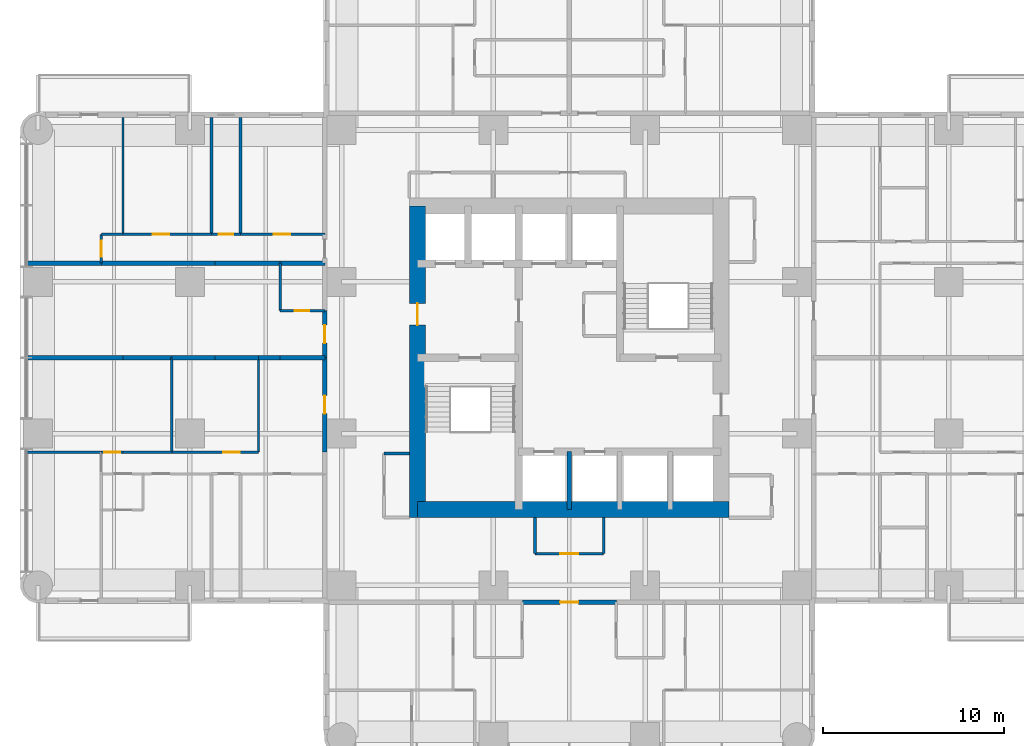
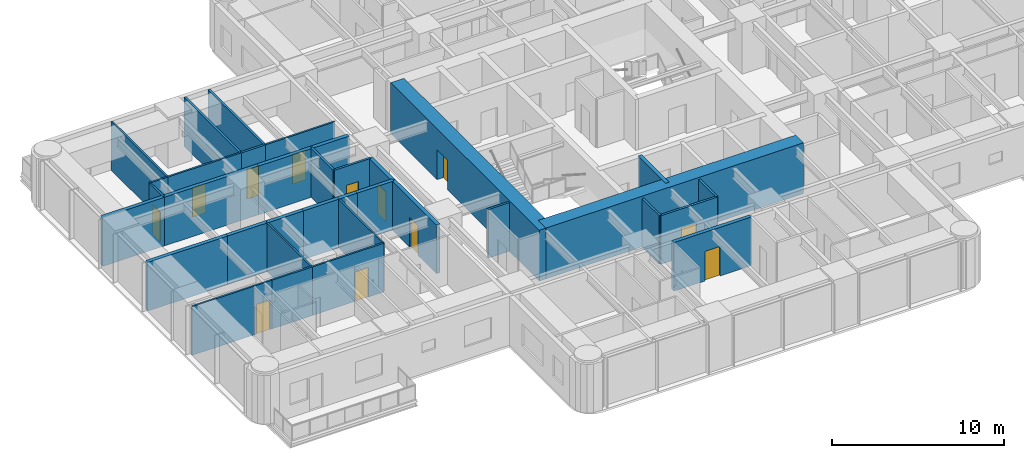
# One storey, part 7 of 15: 36 walls, 12 doors, 12 openings.
"""IFC4 building model written with IfcOpenShell, lengths in metres."""

import ifcopenshell
import ifcopenshell.guid

model = None  # the IFC model being written
_history = None  # IfcOwnerHistory: only IFC2X3 demands one
_inside = {}  # id of a spatial element -> (the spatial element, [elements in it])
_under = {}  # id of a project, library or spatial element -> (it, [spatial elements below it])
_declared = {}  # id of a project -> (the project, [libraries it declares])
_typed = {}  # id of a type object -> (the type object, [elements of that type])
_made_of = {}  # id of a material, layer set ... -> (it, [elements and type objects made of it])


def new_model(schema):
    """Start an empty IFC model of exactly this schema.

    Asked for "IFC4X3", IfcOpenShell would pick the latest addendum, in which some entities
    have other attributes; the version numbers below select the first issue.
    IFC2X3 requires an IfcOwnerHistory on every rooted entity: one is made here for all.
    """
    global model, _history
    if schema == "IFC4X3":
        model = ifcopenshell.file(schema_version=(4, 3, 0, 0))
    else:
        model = ifcopenshell.file(schema=schema)
    _inside.clear()
    _under.clear()
    _declared.clear()
    _typed.clear()
    _made_of.clear()
    _history = None
    if model.schema == "IFC2X3":
        org = make("IfcOrganization", Name="unknown")
        user = make(
            "IfcPersonAndOrganization",
            ThePerson=make("IfcPerson", FamilyName="unknown"),
            TheOrganization=org,
        )
        app = make(
            "IfcApplication",
            ApplicationDeveloper=org,
            Version="unknown",
            ApplicationFullName="unknown",
            ApplicationIdentifier="unknown",
        )
        _history = make(
            "IfcOwnerHistory",
            OwningUser=user,
            OwningApplication=app,
            ChangeAction="ADDED",
            CreationDate=0,
        )
    return model


def make(cls, **values):
    """One entity of the class cls with the attributes given. An attribute that is None is left unset."""
    return model.create_entity(
        cls, **{name: value for name, value in values.items() if value is not None}
    )


def rooted(cls, **values):
    """An entity with a GlobalId (a new one), such as an element, a storey or a relation."""
    return make(cls, GlobalId=ifcopenshell.guid.new(), OwnerHistory=_history, **values)


def si_unit(unit_type, name, prefix=None):
    """IfcSIUnit, for example si_unit("LENGTHUNIT", "METRE", prefix="MILLI")."""
    return make("IfcSIUnit", UnitType=unit_type, Prefix=prefix, Name=name)


def assignment(units):
    """IfcUnitAssignment: the units of a project."""
    return None if units is None else make("IfcUnitAssignment", Units=units)


def point(xyz):
    """IfcCartesianPoint."""
    return None if xyz is None else make("IfcCartesianPoint", Coordinates=xyz)


def direction(xyz):
    """IfcDirection."""
    return None if xyz is None else make("IfcDirection", DirectionRatios=xyz)


def frame(location, z_axis=None, x_axis=None):
    """IfcAxis2Placement3D, a coordinate frame: its origin and axes. An axis left out is left unset."""
    return make(
        "IfcAxis2Placement3D",
        Location=point(location),
        Axis=direction(z_axis),
        RefDirection=direction(x_axis),
    )


def frame_2d(location, x_axis=None):
    """IfcAxis2Placement2D, a coordinate frame in the plane: its origin and x axis."""
    return make(
        "IfcAxis2Placement2D", Location=point(location), RefDirection=direction(x_axis)
    )


def origin():
    """The frame at (0, 0, 0) with its axes left unset."""
    return frame((0.0, 0.0, 0.0))


def place(relative_to, where):
    """IfcLocalPlacement: puts the frame where relative to a parent placement (None: the world)."""
    return make(
        "IfcLocalPlacement", PlacementRelTo=relative_to, RelativePlacement=where
    )


def context(
    kind, dimensions, precision=None, world=None, true_north=None, identifier=None
):
    """IfcGeometricRepresentationContext, for example the 3D "Model" context."""
    return make(
        "IfcGeometricRepresentationContext",
        ContextIdentifier=identifier,
        ContextType=kind,
        CoordinateSpaceDimension=dimensions,
        Precision=precision,
        WorldCoordinateSystem=world,
        TrueNorth=true_north,
    )


def subcontext(parent, identifier, kind, view, scale=None):
    """IfcGeometricRepresentationSubContext, for example "Body" below "Model"."""
    return make(
        "IfcGeometricRepresentationSubContext",
        ContextIdentifier=identifier,
        ContextType=kind,
        ParentContext=parent,
        TargetScale=scale,
        TargetView=view,
    )


def project(units=None, contexts=None):
    """IfcProject with its units and contexts."""
    return rooted(
        "IfcProject",
        Name="project",
        RepresentationContexts=contexts,
        UnitsInContext=assignment(units),
    )


def spatial(cls, under=None, at=None, **own):
    """A site, building, storey or space (cls), placed at a placement, below another one or the project."""
    s = rooted(cls, ObjectPlacement=at, **own)
    if under is not None:
        _under.setdefault(under.id(), (under, []))[1].append(s)
    return s


def profile(cls, at=None, kind="AREA", **sizes):
    """A parametric profile (cls). Its sizes go by their IFC names, for example OverallWidth=200.0."""
    return make(cls, ProfileType=kind, Position=at, **sizes)


def rectangle(**sizes):
    """IfcRectangleProfileDef."""
    return profile("IfcRectangleProfileDef", **sizes)


def extrude(swept, where, along, depth):
    """IfcExtrudedAreaSolid: the profile swept, set in the frame where, extruded along a direction by depth."""
    return make(
        "IfcExtrudedAreaSolid",
        SweptArea=swept,
        Position=where,
        ExtrudedDirection=direction(along),
        Depth=depth,
    )


def shape(context_of_items, identifier, shape_type, items):
    """IfcShapeRepresentation: the items that make up one representation, for example the "Body"."""
    return make(
        "IfcShapeRepresentation",
        ContextOfItems=context_of_items,
        RepresentationIdentifier=identifier,
        RepresentationType=shape_type,
        Items=items,
    )


def material(Name=None, Category=None):
    """IfcMaterial."""
    return make("IfcMaterial", Name=Name, Category=Category)


def layer(
    of_material, thickness, ventilated=None, Name=None, Category=None, Priority=None
):
    """IfcMaterialLayer: one layer of a wall or slab, of a material (None: an air gap)."""
    return make(
        "IfcMaterialLayer",
        Material=of_material,
        LayerThickness=thickness,
        IsVentilated=ventilated,
        Name=Name,
        Category=Category,
        Priority=Priority,
    )


def layer_set(layers, Name=None):
    """IfcMaterialLayerSet."""
    return make("IfcMaterialLayerSet", MaterialLayers=layers, LayerSetName=Name)


def made_of(thing, what):
    """Note that an element or type object is made of a material, layer set ...; save() writes the relation."""
    if what is not None:
        _made_of.setdefault(what.id(), (what, []))[1].append(thing)
    return thing


def type_object(cls, material=None, **own):
    """A type object (cls), such as IfcWallType, which elements share."""
    return made_of(rooted(cls, **own), material)


def element(
    cls,
    number,
    at=None,
    inside=None,
    cuts=None,
    type_object=None,
    material=None,
    context=None,
    identifier="Body",
    shape_type=None,
    held_by="IfcProductDefinitionShape",
    body=None,
    shapes=None,
    **own,
):
    """One element of the class cls, such as IfcWall. Its Tag is "e" and its number.

    at: its placement. inside: the storey or other place that contains it. cuts: it is an
    opening in that element (IfcRelVoidsElement). A single representation is given by context,
    identifier, shape_type and body (its items); several are given by shapes. held_by: the class
    of the entity that holds the representations. save() writes the other relations.
    """
    e = rooted(cls, Tag="e%d" % number, ObjectPlacement=at, **own)
    if body is not None:
        shapes = [shape(context, identifier, shape_type, body)]
    if shapes is not None:
        e.Representation = make(held_by, Representations=shapes)
    if inside is not None:
        _inside.setdefault(inside.id(), (inside, []))[1].append(e)
    if cuts is not None:
        rooted(
            "IfcRelVoidsElement", RelatingBuildingElement=cuts, RelatedOpeningElement=e
        )
    if type_object is not None:
        _typed.setdefault(type_object.id(), (type_object, []))[1].append(e)
    return made_of(e, material)


def fill(opening, filler):
    """IfcRelFillsElement: the door or window that sits in an opening."""
    return rooted(
        "IfcRelFillsElement",
        RelatingOpeningElement=opening,
        RelatedBuildingElement=filler,
    )


def aggregate(whole, parts):
    """IfcRelAggregates: a whole, such as a stair, and the parts it consists of."""
    return rooted("IfcRelAggregates", RelatingObject=whole, RelatedObjects=parts)


def save(model, path):
    """Write the relations noted so far, then the file.

    IfcRelAggregates (storeys below a building ...), IfcRelContainedInSpatialStructure (elements
    in a storey), IfcRelDefinesByType, IfcRelAssociatesMaterial and IfcRelDeclares: one each for
    every whole, place, type object, material and project.
    """
    for whole, parts in _under.values():
        aggregate(whole, parts)
    for where, things in _inside.values():
        rooted(
            "IfcRelContainedInSpatialStructure",
            RelatedElements=things,
            RelatingStructure=where,
        )
    for kind, things in _typed.values():
        rooted("IfcRelDefinesByType", RelatedObjects=things, RelatingType=kind)
    for what, things in _made_of.values():
        rooted("IfcRelAssociatesMaterial", RelatedObjects=things, RelatingMaterial=what)
    for by, libraries in _declared.values():
        rooted("IfcRelDeclares", RelatingContext=by, RelatedDefinitions=libraries)
    model.write(path)


model = new_model("IFC4")

# Units and contexts
model_context = context("Model", 3, precision=1e-05, world=origin(), true_north=direction((0.0, 1.0)))
body_context = subcontext(model_context, "Body", "Model", "MODEL_VIEW")
ifc_project = project(units=[si_unit("LENGTHUNIT", "METRE"), si_unit("AREAUNIT", "SQUARE_METRE"), si_unit("VOLUMEUNIT", "CUBIC_METRE"), si_unit("PLANEANGLEUNIT", "RADIAN"), si_unit("MASSUNIT", "GRAM", prefix="KILO")], contexts=[model_context])

# Site, building, storey
site_placement = place(None, origin())
site = spatial("IfcSite", under=ifc_project, at=site_placement, CompositionType="ELEMENT")
building_placement = place(site_placement, origin())
building = spatial("IfcBuilding", under=site, at=building_placement, Name="Torre Alcanfor", CompositionType="ELEMENT")
storey_placement = place(building_placement, frame((0.0, 0.0, 119.699951171875)))
storey = spatial("IfcBuildingStorey", under=building, at=storey_placement, Name="L30", CompositionType="ELEMENT", Elevation=119.699951171875)

# Wall, opening, door
ifc_material_1 = material(Name="Concrete block masonry, hollow blocks NMX-C-404 9 MPa", Category="masonry")
ifc_layer_1 = layer(ifc_material_1, 0.25)
ifc_layer_set_1 = layer_set([ifc_layer_1], Name="Apartment entrance wall 250 EI 60")
wall_type_1 = type_object("IfcWallType", Name="Apartment entrance wall 250 EI 60", PredefinedType="PARTITIONING", material=ifc_layer_set_1)
wall_1_placement = place(storey_placement, frame((32.0, 15.875, 0.0), z_axis=(0.0, 0.0, 1.0), x_axis=(-1.0, 0.0, 0.0)))
wall_1 = element("IfcWall", 1, at=wall_1_placement, inside=storey, type_object=wall_type_1, Name="Partition L30-CORR / L30-SX-ZAG", PredefinedType="PARTITIONING", context=body_context, shape_type="SweptSolid", body=[
    extrude(rectangle(XDim=5.199951171875, YDim=0.25, at=frame_2d((2.60009765625, 0.0))), origin(), (0.0, 0.0, 1.0), 3.449951171875),
])
opening_1_placement = place(wall_1_placement, frame((2.10009765625, 0.0, 0.0)))
opening_1 = element("IfcOpeningElement", 2, at=opening_1_placement, cuts=wall_1, Name="Opening D-A1", PredefinedType="OPENING", context=body_context, shape_type="SweptSolid", body=[
    extrude(rectangle(XDim=1.0, YDim=2.10009765625, at=frame_2d((0.5, 1.050048828125))), frame((0.0, 0.135009765625, 0.0), z_axis=(0.0, -1.0, 0.0), x_axis=(1.0, 0.0, 0.0)), (0.0, 0.0, 1.0), 0.27001953125),
])
ifc_material_2 = material(Name="Galvanised steel sheet ASTM A653", Category="steel")
door_type_1 = type_object("IfcDoorType", Name="Apartment entrance door FD60 1000x2100", OperationType="SINGLE_SWING_LEFT", PredefinedType="DOOR", material=ifc_material_2)
door_1_placement = place(opening_1_placement, origin())
door_1 = element("IfcDoor", 3, at=door_1_placement, inside=storey, type_object=door_type_1, Name="Apartment entrance L30-SX", OperationType="SINGLE_SWING_LEFT", OverallHeight=2.10009765625, OverallWidth=1.0, PredefinedType="DOOR", context=body_context, shape_type="SweptSolid", body=[
    extrude(rectangle(XDim=1.0, YDim=2.10009765625, at=frame_2d((0.5, 1.050048828125))), frame((0.0, 0.02490234375, 0.0), z_axis=(0.0, -1.0, 0.0), x_axis=(1.0, 0.0, 0.0)), (0.0, 0.0, 1.0), 0.050048828125),
])
fill(opening_1, door_1)

wall_2_placement = place(storey_placement, frame((15.875, 24.1708984375, 0.0), z_axis=(0.0, 0.0, 1.0), x_axis=(0.0, 1.0, 0.0)))
wall_2 = element("IfcWall", 4, at=wall_2_placement, inside=storey, type_object=wall_type_1, Name="Partition L30-CORR / L30-W1-ZAG", PredefinedType="PARTITIONING", context=body_context, shape_type="SweptSolid", body=[
    extrude(rectangle(XDim=5.22900390625, YDim=0.25, at=frame_2d((2.614501953125, 0.0))), origin(), (0.0, 0.0, 1.0), 3.449951171875),
])
opening_2_placement = place(wall_2_placement, frame((2.12890625, 0.0, 0.0)))
opening_2 = element("IfcOpeningElement", 5, at=opening_2_placement, cuts=wall_2, Name="Opening D-A1", PredefinedType="OPENING", context=body_context, shape_type="SweptSolid", body=[
    extrude(rectangle(XDim=1.0, YDim=2.10009765625, at=frame_2d((0.5, 1.050048828125))), frame((0.0, 0.135009765625, 0.0), z_axis=(0.0, -1.0, 0.0), x_axis=(1.0, 0.0, 0.0)), (0.0, 0.0, 1.0), 0.27001953125),
])
door_2_placement = place(opening_2_placement, origin())
door_2 = element("IfcDoor", 6, at=door_2_placement, inside=storey, type_object=door_type_1, Name="Apartment entrance L30-W1", OperationType="SINGLE_SWING_RIGHT", OverallHeight=2.10009765625, OverallWidth=1.0, PredefinedType="DOOR", context=body_context, shape_type="SweptSolid", body=[
    extrude(rectangle(XDim=1.0, YDim=2.10009765625, at=frame_2d((0.5, 1.050048828125))), frame((0.0, 0.02490234375, 0.0), z_axis=(0.0, -1.0, 0.0), x_axis=(1.0, 0.0, 0.0)), (0.0, 0.0, 1.0), 0.050048828125),
])
fill(opening_2, door_2)

wall_3_placement = place(storey_placement, frame((15.875, 29.39990234375, 0.0), z_axis=(0.0, 0.0, 1.0), x_axis=(0.0, 1.0, 0.0)))
wall_3 = element("IfcWall", 7, at=wall_3_placement, inside=storey, type_object=wall_type_1, Name="Partition L30-CORR / L30-W2A-FOYER", PredefinedType="PARTITIONING", context=body_context, shape_type="SweptSolid", body=[
    extrude(rectangle(XDim=2.60009765625, YDim=0.25, at=frame_2d((1.300048828125, 0.0))), origin(), (0.0, 0.0, 1.0), 3.449951171875),
])
opening_3_placement = place(wall_3_placement, frame((0.800048828125, 0.0, 0.0)))
opening_3 = element("IfcOpeningElement", 8, at=opening_3_placement, cuts=wall_3, Name="Opening D-A1", PredefinedType="OPENING", context=body_context, shape_type="SweptSolid", body=[
    extrude(rectangle(XDim=1.0, YDim=2.10009765625, at=frame_2d((0.5, 1.050048828125))), frame((0.0, 0.135009765625, 0.0), z_axis=(0.0, -1.0, 0.0), x_axis=(1.0, 0.0, 0.0)), (0.0, 0.0, 1.0), 0.27001953125),
])
door_3_placement = place(opening_3_placement, origin())
door_3 = element("IfcDoor", 9, at=door_3_placement, inside=storey, type_object=door_type_1, Name="Apartment entrance L30-W2A", OperationType="SINGLE_SWING_LEFT", OverallHeight=2.10009765625, OverallWidth=1.0, PredefinedType="DOOR", context=body_context, shape_type="SweptSolid", body=[
    extrude(rectangle(XDim=1.0, YDim=2.10009765625, at=frame_2d((0.5, 1.050048828125))), frame((0.0, 0.02490234375, 0.0), z_axis=(0.0, -1.0, 0.0), x_axis=(1.0, 0.0, 0.0)), (0.0, 0.0, 1.0), 0.050048828125),
])
fill(opening_3, door_3)

# Walls
ifc_material_3 = material(Name="Gypsum board on steel studs", Category="steel")
ifc_layer_2 = layer(ifc_material_3, 0.1201171875)
ifc_layer_set_2 = layer_set([ifc_layer_2], Name="Apartment partition 120")
wall_type_2 = type_object("IfcWallType", Name="Apartment partition 120", PredefinedType="PARTITIONING", material=ifc_layer_set_2)
for number, where, z_axis, x_axis, name in (
    (10, (12.199951171875, 29.39990234375, 0.0), (0.0, 0.0, 1.0), (0.0, -1.0, 0.0), "Partition L30-W1-ZAG / L30-W1-FAMILY"),
    (11, (7.39990234375, 29.39990234375, 0.0), (0.0, 0.0, 1.0), (0.0, -1.0, 0.0), "Partition L30-W1-FAMILY / L30-W1-KITCHEN"),
):
    element("IfcWall", number, at=place(storey_placement, frame(where, z_axis=z_axis, x_axis=x_axis)), inside=storey, type_object=wall_type_2, Name=name, PredefinedType="PARTITIONING", context=body_context, shape_type="SweptSolid", body=[
        extrude(rectangle(XDim=5.22900390625, YDim=0.1201171875, at=frame_2d((2.614501953125, 0.0))), origin(), (0.0, 0.0, 1.0), 3.449951171875),
    ])

# Wall, opening, door
wall_4_placement = place(storey_placement, frame((7.39990234375, 24.1708984375, 0.0), z_axis=(0.0, 0.0, 1.0), x_axis=(1.0, 0.0, 0.0)))
wall_4 = element("IfcWall", 12, at=wall_4_placement, inside=storey, type_object=wall_type_2, Name="Partition L30-W1-FAMILY / L30-W1-HALL", PredefinedType="PARTITIONING", context=body_context, shape_type="SweptSolid", body=[
    extrude(rectangle(XDim=4.800048828125, YDim=0.1201171875, at=frame_2d((2.39990234375, 0.0))), origin(), (0.0, 0.0, 1.0), 3.449951171875),
])
opening_4_placement = place(wall_4_placement, frame((2.85009765625, 0.0, 0.0)))
opening_4 = element("IfcOpeningElement", 13, at=opening_4_placement, cuts=wall_4, Name="Opening D-R1", PredefinedType="OPENING", context=body_context, shape_type="SweptSolid", body=[
    extrude(rectangle(XDim=0.89990234375, YDim=2.10009765625, at=frame_2d((0.449951171875, 1.050048828125))), frame((0.0, 0.070068359375, 0.0), z_axis=(0.0, -1.0, 0.0), x_axis=(1.0, 0.0, 0.0)), (0.0, 0.0, 1.0), 0.14013671875),
])
ifc_material_4 = material(Name="Timber", Category="wood")
door_type_2 = type_object("IfcDoorType", Name="Internal door 900x2100", OperationType="SINGLE_SWING_LEFT", PredefinedType="DOOR", material=ifc_material_4)
door_4_placement = place(opening_4_placement, origin())
door_4 = element("IfcDoor", 14, at=door_4_placement, inside=storey, type_object=door_type_2, Name="Door L30-W1 family", OperationType="SINGLE_SWING_RIGHT", OverallHeight=2.10009765625, OverallWidth=0.89990234375, PredefinedType="DOOR", context=body_context, shape_type="SweptSolid", body=[
    extrude(rectangle(XDim=0.89990234375, YDim=2.10009765625, at=frame_2d((0.449951171875, 1.050048828125))), frame((0.0, 0.02490234375, 0.0), z_axis=(0.0, -1.0, 0.0), x_axis=(1.0, 0.0, 0.0)), (0.0, 0.0, 1.0), 0.050048828125),
])
fill(opening_4, door_4)

# Wall
wall_5_placement = place(storey_placement, frame((4.699951171875, 24.1708984375, 0.0), z_axis=(0.0, 0.0, 1.0), x_axis=(1.0, 0.0, 0.0)))
element("IfcWall", 15, at=wall_5_placement, inside=storey, type_object=wall_type_2, Name="Partition L30-W1-KITCHEN / L30-W1-HALL", PredefinedType="PARTITIONING", context=body_context, shape_type="SweptSolid", body=[
    extrude(rectangle(XDim=2.699951171875, YDim=0.1201171875, at=frame_2d((1.35009765625, 0.0))), origin(), (0.0, 0.0, 1.0), 3.449951171875),
])

# Wall, opening, door
wall_6_placement = place(storey_placement, frame((3.5, 24.1708984375, 0.0), z_axis=(0.0, 0.0, 1.0), x_axis=(1.0, 0.0, 0.0)))
wall_6 = element("IfcWall", 16, at=wall_6_placement, inside=storey, type_object=wall_type_2, Name="Partition L30-W1-LIVING / L30-W1-HALL", PredefinedType="PARTITIONING", context=body_context, shape_type="SweptSolid", body=[
    extrude(rectangle(XDim=1.199951171875, YDim=0.1201171875, at=frame_2d((0.60009765625, 0.0))), origin(), (0.0, 0.0, 1.0), 3.449951171875),
])
opening_5_placement = place(wall_6_placement, frame((0.14990234375, 0.0, 0.0)))
opening_5 = element("IfcOpeningElement", 17, at=opening_5_placement, cuts=wall_6, Name="Opening D-R1", PredefinedType="OPENING", context=body_context, shape_type="SweptSolid", body=[
    extrude(rectangle(XDim=0.89990234375, YDim=2.10009765625, at=frame_2d((0.449951171875, 1.050048828125))), frame((0.0, 0.070068359375, 0.0), z_axis=(0.0, -1.0, 0.0), x_axis=(1.0, 0.0, 0.0)), (0.0, 0.0, 1.0), 0.14013671875),
])
door_5_placement = place(opening_5_placement, origin())
door_5 = element("IfcDoor", 18, at=door_5_placement, inside=storey, type_object=door_type_2, Name="Door L30-W1 living", OperationType="SINGLE_SWING_RIGHT", OverallHeight=2.10009765625, OverallWidth=0.89990234375, PredefinedType="DOOR", context=body_context, shape_type="SweptSolid", body=[
    extrude(rectangle(XDim=0.89990234375, YDim=2.10009765625, at=frame_2d((0.449951171875, 1.050048828125))), frame((0.0, 0.02490234375, 0.0), z_axis=(0.0, -1.0, 0.0), x_axis=(1.0, 0.0, 0.0)), (0.0, 0.0, 1.0), 0.050048828125),
])
fill(opening_5, door_5)

# Wall
wall_7_placement = place(storey_placement, frame((-0.64990234375, 24.1708984375, 0.0), z_axis=(0.0, 0.0, 1.0), x_axis=(1.0, 0.0, 0.0)))
element("IfcWall", 19, at=wall_7_placement, inside=storey, type_object=wall_type_2, Name="Partition L30-W1-LIVING / L30-W1-WGARD", PredefinedType="PARTITIONING", context=body_context, shape_type="SweptSolid", body=[
    extrude(rectangle(XDim=4.14990234375, YDim=0.1201171875, at=frame_2d((2.074951171875, 0.0))), origin(), (0.0, 0.0, 1.0), 3.449951171875),
])

# Wall, opening, door
wall_8_placement = place(storey_placement, frame((11.199951171875, 36.22900390625, 0.0), z_axis=(0.0, 0.0, 1.0), x_axis=(1.0, 0.0, 0.0)))
wall_8 = element("IfcWall", 20, at=wall_8_placement, inside=storey, type_object=wall_type_2, Name="Partition L30-W2B-HALL / L30-W2B-BED2", PredefinedType="PARTITIONING", context=body_context, shape_type="SweptSolid", body=[
    extrude(rectangle(XDim=4.675048828125, YDim=0.1201171875, at=frame_2d((2.33740234375, 0.0))), origin(), (0.0, 0.0, 1.0), 3.449951171875),
])
opening_6_placement = place(wall_8_placement, frame((1.85009765625, 0.0, 0.0)))
opening_6 = element("IfcOpeningElement", 21, at=opening_6_placement, cuts=wall_8, Name="Opening D-R1", PredefinedType="OPENING", context=body_context, shape_type="SweptSolid", body=[
    extrude(rectangle(XDim=0.89990234375, YDim=2.10009765625, at=frame_2d((0.449951171875, 1.050048828125))), frame((0.0, 0.070068359375, 0.0), z_axis=(0.0, -1.0, 0.0), x_axis=(1.0, 0.0, 0.0)), (0.0, 0.0, 1.0), 0.14013671875),
])
door_6_placement = place(opening_6_placement, origin())
door_6 = element("IfcDoor", 22, at=door_6_placement, inside=storey, type_object=door_type_2, Name="Door L30-W2B bed2", OperationType="SINGLE_SWING_LEFT", OverallHeight=2.10009765625, OverallWidth=0.89990234375, PredefinedType="DOOR", context=body_context, shape_type="SweptSolid", body=[
    extrude(rectangle(XDim=0.89990234375, YDim=2.10009765625, at=frame_2d((0.449951171875, 1.050048828125))), frame((0.0, 0.02490234375, 0.0), z_axis=(0.0, -1.0, 0.0), x_axis=(1.0, 0.0, 0.0)), (0.0, 0.0, 1.0), 0.050048828125),
])
fill(opening_6, door_6)

wall_9_placement = place(storey_placement, frame((4.699951171875, 36.22900390625, 0.0), z_axis=(0.0, 0.0, 1.0), x_axis=(1.0, 0.0, 0.0)))
wall_9 = element("IfcWall", 23, at=wall_9_placement, inside=storey, type_object=wall_type_2, Name="Partition L30-W2B-HALL / L30-W2B-MASTER", PredefinedType="PARTITIONING", context=body_context, shape_type="SweptSolid", body=[
    extrude(rectangle(XDim=4.900146484375, YDim=0.1201171875, at=frame_2d((2.4501953125, 0.0))), origin(), (0.0, 0.0, 1.0), 3.449951171875),
])
opening_7_placement = place(wall_9_placement, frame((1.64990234375, 0.0, 0.0)))
opening_7 = element("IfcOpeningElement", 24, at=opening_7_placement, cuts=wall_9, Name="Opening D-R1", PredefinedType="OPENING", context=body_context, shape_type="SweptSolid", body=[
    extrude(rectangle(XDim=0.89990234375, YDim=2.10009765625, at=frame_2d((0.449951171875, 1.050048828125))), frame((0.0, 0.070068359375, 0.0), z_axis=(0.0, -1.0, 0.0), x_axis=(1.0, 0.0, 0.0)), (0.0, 0.0, 1.0), 0.14013671875),
])
door_7_placement = place(opening_7_placement, origin())
door_7 = element("IfcDoor", 25, at=door_7_placement, inside=storey, type_object=door_type_2, Name="Door L30-W2B master", OperationType="SINGLE_SWING_LEFT", OverallHeight=2.10009765625, OverallWidth=0.89990234375, PredefinedType="DOOR", context=body_context, shape_type="SweptSolid", body=[
    extrude(rectangle(XDim=0.89990234375, YDim=2.10009765625, at=frame_2d((0.449951171875, 1.050048828125))), frame((0.0, 0.02490234375, 0.0), z_axis=(0.0, -1.0, 0.0), x_axis=(1.0, 0.0, 0.0)), (0.0, 0.0, 1.0), 0.050048828125),
])
fill(opening_7, door_7)

# Wall
wall_10_placement = place(storey_placement, frame((3.5, 36.22900390625, 0.0), z_axis=(0.0, 0.0, 1.0), x_axis=(1.0, 0.0, 0.0)))
element("IfcWall", 26, at=wall_10_placement, inside=storey, type_object=wall_type_2, Name="Partition L30-W2B-HALL / L30-W2B-KITCHEN", PredefinedType="PARTITIONING", context=body_context, shape_type="SweptSolid", body=[
    extrude(rectangle(XDim=1.199951171875, YDim=0.1201171875, at=frame_2d((0.60009765625, 0.0))), origin(), (0.0, 0.0, 1.0), 3.449951171875),
])

# Wall, opening, door
wall_11_placement = place(storey_placement, frame((3.5, 34.62890625, 0.0), z_axis=(0.0, 0.0, 1.0), x_axis=(0.0, 1.0, 0.0)))
wall_11 = element("IfcWall", 27, at=wall_11_placement, inside=storey, type_object=wall_type_2, Name="Partition L30-W2B-HALL / L30-W2B-LIVING", PredefinedType="PARTITIONING", context=body_context, shape_type="SweptSolid", body=[
    extrude(rectangle(XDim=1.60009765625, YDim=0.1201171875, at=frame_2d((0.800048828125, 0.0))), origin(), (0.0, 0.0, 1.0), 3.449951171875),
])
opening_8_placement = place(wall_11_placement, frame((0.35009765625, 0.0, 0.0)))
opening_8 = element("IfcOpeningElement", 28, at=opening_8_placement, cuts=wall_11, Name="Opening D-R1", PredefinedType="OPENING", context=body_context, shape_type="SweptSolid", body=[
    extrude(rectangle(XDim=0.89990234375, YDim=2.10009765625, at=frame_2d((0.449951171875, 1.050048828125))), frame((0.0, 0.070068359375, 0.0), z_axis=(0.0, -1.0, 0.0), x_axis=(1.0, 0.0, 0.0)), (0.0, 0.0, 1.0), 0.14013671875),
])
door_8_placement = place(opening_8_placement, origin())
door_8 = element("IfcDoor", 29, at=door_8_placement, inside=storey, type_object=door_type_2, Name="Door L30-W2B living", OperationType="SINGLE_SWING_LEFT", OverallHeight=2.10009765625, OverallWidth=0.89990234375, PredefinedType="DOOR", context=body_context, shape_type="SweptSolid", body=[
    extrude(rectangle(XDim=0.89990234375, YDim=2.10009765625, at=frame_2d((0.449951171875, 1.050048828125))), frame((0.0, 0.02490234375, 0.0), z_axis=(0.0, -1.0, 0.0), x_axis=(1.0, 0.0, 0.0)), (0.0, 0.0, 1.0), 0.050048828125),
])
fill(opening_8, door_8)

# Walls
wall_12_placement = place(storey_placement, frame((4.699951171875, 36.22900390625, 0.0), z_axis=(0.0, 0.0, 1.0), x_axis=(0.0, 1.0, 0.0)))
element("IfcWall", 30, at=wall_12_placement, inside=storey, type_object=wall_type_2, Name="Partition L30-W2B-MASTER / L30-W2B-KITCHEN", PredefinedType="PARTITIONING", context=body_context, shape_type="SweptSolid", body=[
    extrude(rectangle(XDim=6.470947265625, YDim=0.1201171875, at=frame_2d((3.2353515625, 0.0))), origin(), (0.0, 0.0, 1.0), 3.449951171875),
])
ifc_material_5 = material(Name="Concrete f'c 70 MPa", Category="concrete")
ifc_layer_3 = layer(ifc_material_5, 0.25)
ifc_layer_set_3 = layer_set([ifc_layer_3], Name="Core shaft wall 250 f'c70")
wall_type_3 = type_object("IfcWallType", Name="Core shaft wall 250 f'c70", PredefinedType="SHEAR", material=ifc_layer_set_3)
wall_13_placement = place(storey_placement, frame((29.39990234375, 21.0, 0.0), z_axis=(0.0, 0.0, 1.0), x_axis=(0.0, 1.0, 0.0)))
element("IfcWall", 31, at=wall_13_placement, inside=storey, type_object=wall_type_3, Name="Core wall X294S L30", PredefinedType="SHEAR", context=body_context, shape_type="SweptSolid", body=[
    extrude(rectangle(XDim=3.199951171875, YDim=0.25, at=frame_2d((1.60009765625, 0.0))), origin(), (0.0, 0.0, 1.0), 3.60009765625),
])
ifc_material_6 = material(Name="Concrete f'c 70 MPa", Category="concrete")
ifc_layer_4 = layer(ifc_material_6, 0.89990234375)
ifc_layer_set_4 = layer_set([ifc_layer_4], Name="Core wall 900 f'c70")
wall_type_4 = type_object("IfcWallType", Name="Core wall 900 f'c70", PredefinedType="SHEAR", material=ifc_layer_set_4)
wall_14_placement = place(storey_placement, frame((21.0, 21.0, 0.0), z_axis=(0.0, 0.0, 1.0), x_axis=(1.0, 0.0, 0.0)))
element("IfcWall", 32, at=wall_14_placement, inside=storey, type_object=wall_type_4, Name="Core wall OUT-S L30", PredefinedType="SHEAR", context=body_context, shape_type="SweptSolid", body=[
    extrude(rectangle(XDim=17.25, YDim=0.89990234375, at=frame_2d((8.625, 0.0))), origin(), (0.0, 0.0, 1.0), 3.60009765625),
])

# Wall, opening, door
wall_15_placement = place(storey_placement, frame((21.0, 37.800048828125, 0.0), z_axis=(0.0, 0.0, 1.0), x_axis=(0.0, -1.0, 0.0)))
wall_15 = element("IfcWall", 33, at=wall_15_placement, inside=storey, type_object=wall_type_4, Name="Core wall OUT-W L30", PredefinedType="SHEAR", context=body_context, shape_type="SweptSolid", body=[
    extrude(rectangle(XDim=17.25, YDim=0.89990234375, at=frame_2d((8.625, 0.0))), origin(), (0.0, 0.0, 1.0), 3.60009765625),
])
opening_9_placement = place(wall_15_placement, frame((5.39990234375, 0.0, 0.0)))
opening_9 = element("IfcOpeningElement", 34, at=opening_9_placement, cuts=wall_15, Name="Opening D-L1", PredefinedType="OPENING", context=body_context, shape_type="SweptSolid", body=[
    extrude(rectangle(XDim=1.199951171875, YDim=2.10009765625, at=frame_2d((0.60009765625, 1.050048828125))), frame((0.0, 0.4599609375, 0.0), z_axis=(0.0, -1.0, 0.0), x_axis=(1.0, 0.0, 0.0)), (0.0, 0.0, 1.0), 0.919921875),
])
ifc_material_7 = material(Name="Galvanised steel sheet ASTM A653", Category="steel")
door_type_3 = type_object("IfcDoorType", Name="Lobby door FD120 1200x2100", OperationType="SINGLE_SWING_LEFT", PredefinedType="DOOR", material=ifc_material_7)
door_9_placement = place(opening_9_placement, origin())
door_9 = element("IfcDoor", 35, at=door_9_placement, inside=storey, type_object=door_type_3, Name="Firefighting lobby door L30", OperationType="SINGLE_SWING_LEFT", OverallHeight=2.10009765625, OverallWidth=1.199951171875, PredefinedType="DOOR", context=body_context, shape_type="SweptSolid", body=[
    extrude(rectangle(XDim=1.199951171875, YDim=2.10009765625, at=frame_2d((0.60009765625, 1.050048828125))), frame((0.0, 0.02490234375, 0.0), z_axis=(0.0, -1.0, 0.0), x_axis=(1.0, 0.0, 0.0)), (0.0, 0.0, 1.0), 0.050048828125),
])
fill(opening_9, door_9)

# Walls
ifc_material_8 = material(Name="Concrete block masonry, hollow blocks NMX-C-404 9 MPa", Category="masonry")
ifc_layer_5 = layer(ifc_material_8, 0.25)
ifc_layer_set_5 = layer_set([ifc_layer_5], Name="Party wall 250 EI 60")
wall_type_5 = type_object("IfcWallType", Name="Party wall 250 EI 60", PredefinedType="PARTITIONING", material=ifc_layer_set_5)
wall_16_placement = place(storey_placement, frame((15.875, 29.39990234375, 0.0), z_axis=(0.0, 0.0, 1.0), x_axis=(-1.0, 0.0, 0.0)))
element("IfcWall", 36, at=wall_16_placement, inside=storey, type_object=wall_type_5, Name="Partition L30-W1-ZAG / L30-W2A-FOYER", PredefinedType="PARTITIONING", context=body_context, shape_type="SweptSolid", body=[
    extrude(rectangle(XDim=2.47509765625, YDim=0.25, at=frame_2d((1.237548828125, 0.0))), origin(), (0.0, 0.0, 1.0), 3.449951171875),
])
wall_17_placement = place(storey_placement, frame((13.39990234375, 29.39990234375, 0.0), z_axis=(0.0, 0.0, 1.0), x_axis=(-1.0, 0.0, 0.0)))
element("IfcWall", 37, at=wall_17_placement, inside=storey, type_object=wall_type_5, Name="Partition L30-W1-ZAG / L30-W2A-KITCHEN", PredefinedType="PARTITIONING", context=body_context, shape_type="SweptSolid", body=[
    extrude(rectangle(XDim=1.199951171875, YDim=0.25, at=frame_2d((0.60009765625, 0.0))), origin(), (0.0, 0.0, 1.0), 3.449951171875),
])
wall_18_placement = place(storey_placement, frame((12.199951171875, 29.39990234375, 0.0), z_axis=(0.0, 0.0, 1.0), x_axis=(-1.0, 0.0, 0.0)))
element("IfcWall", 38, at=wall_18_placement, inside=storey, type_object=wall_type_5, Name="Partition L30-W1-FAMILY / L30-W2A-KITCHEN", PredefinedType="PARTITIONING", context=body_context, shape_type="SweptSolid", body=[
    extrude(rectangle(XDim=2.39990234375, YDim=0.25, at=frame_2d((1.199951171875, 0.0))), origin(), (0.0, 0.0, 1.0), 3.449951171875),
])
wall_19_placement = place(storey_placement, frame((9.800048828125, 29.39990234375, 0.0), z_axis=(0.0, 0.0, 1.0), x_axis=(-1.0, 0.0, 0.0)))
element("IfcWall", 39, at=wall_19_placement, inside=storey, type_object=wall_type_5, Name="Partition L30-W1-FAMILY / L30-W2A-STUDIO", PredefinedType="PARTITIONING", context=body_context, shape_type="SweptSolid", body=[
    extrude(rectangle(XDim=2.400146484375, YDim=0.25, at=frame_2d((1.2001953125, 0.0))), origin(), (0.0, 0.0, 1.0), 3.449951171875),
])
wall_20_placement = place(storey_placement, frame((7.39990234375, 29.39990234375, 0.0), z_axis=(0.0, 0.0, 1.0), x_axis=(-1.0, 0.0, 0.0)))
element("IfcWall", 40, at=wall_20_placement, inside=storey, type_object=wall_type_5, Name="Partition L30-W1-KITCHEN / L30-W2A-STUDIO", PredefinedType="PARTITIONING", context=body_context, shape_type="SweptSolid", body=[
    extrude(rectangle(XDim=2.699951171875, YDim=0.25, at=frame_2d((1.35009765625, 0.0))), origin(), (0.0, 0.0, 1.0), 3.449951171875),
])
wall_21_placement = place(storey_placement, frame((4.699951171875, 29.39990234375, 0.0), z_axis=(0.0, 0.0, 1.0), x_axis=(-1.0, 0.0, 0.0)))
element("IfcWall", 41, at=wall_21_placement, inside=storey, type_object=wall_type_5, Name="Partition L30-W1-LIVING / L30-W2A-STUDIO", PredefinedType="PARTITIONING", context=body_context, shape_type="SweptSolid", body=[
    extrude(rectangle(XDim=5.349853515625, YDim=0.25, at=frame_2d((2.6748046875, 0.0))), origin(), (0.0, 0.0, 1.0), 3.449951171875),
])
wall_22_placement = place(storey_placement, frame((13.39990234375, 34.62890625, 0.0), z_axis=(0.0, 0.0, 1.0), x_axis=(1.0, 0.0, 0.0)))
element("IfcWall", 42, at=wall_22_placement, inside=storey, type_object=wall_type_5, Name="Partition L30-W2A-BATH / L30-W2B-HALL", PredefinedType="PARTITIONING", context=body_context, shape_type="SweptSolid", body=[
    extrude(rectangle(XDim=2.47509765625, YDim=0.25, at=frame_2d((1.237548828125, 0.0))), origin(), (0.0, 0.0, 1.0), 3.449951171875),
])
wall_23_placement = place(storey_placement, frame((9.800048828125, 34.62890625, 0.0), z_axis=(0.0, 0.0, 1.0), x_axis=(1.0, 0.0, 0.0)))
element("IfcWall", 43, at=wall_23_placement, inside=storey, type_object=wall_type_5, Name="Partition L30-W2A-KITCHEN / L30-W2B-HALL", PredefinedType="PARTITIONING", context=body_context, shape_type="SweptSolid", body=[
    extrude(rectangle(XDim=3.599853515625, YDim=0.25, at=frame_2d((1.7998046875, 0.0))), origin(), (0.0, 0.0, 1.0), 3.449951171875),
])
wall_24_placement = place(storey_placement, frame((3.5, 34.62890625, 0.0), z_axis=(0.0, 0.0, 1.0), x_axis=(1.0, 0.0, 0.0)))
element("IfcWall", 44, at=wall_24_placement, inside=storey, type_object=wall_type_5, Name="Partition L30-W2A-STUDIO / L30-W2B-HALL", PredefinedType="PARTITIONING", context=body_context, shape_type="SweptSolid", body=[
    extrude(rectangle(XDim=6.300048828125, YDim=0.25, at=frame_2d((3.14990234375, 0.0))), origin(), (0.0, 0.0, 1.0), 3.449951171875),
])
wall_25_placement = place(storey_placement, frame((-0.64990234375, 34.62890625, 0.0), z_axis=(0.0, 0.0, 1.0), x_axis=(1.0, 0.0, 0.0)))
element("IfcWall", 45, at=wall_25_placement, inside=storey, type_object=wall_type_5, Name="Partition L30-W2A-STUDIO / L30-W2B-LIVING", PredefinedType="PARTITIONING", context=body_context, shape_type="SweptSolid", body=[
    extrude(rectangle(XDim=4.14990234375, YDim=0.25, at=frame_2d((2.074951171875, 0.0))), origin(), (0.0, 0.0, 1.0), 3.449951171875),
])
ifc_material_9 = material(Name="Concrete block masonry, hollow blocks NMX-C-404 9 MPa", Category="masonry")
ifc_layer_6 = layer(ifc_material_9, 0.14990234375)
ifc_layer_set_6 = layer_set([ifc_layer_6], Name="Residents' room partition 150")
wall_type_6 = type_object("IfcWallType", Name="Residents' room partition 150", PredefinedType="PARTITIONING", material=ifc_layer_set_6)
wall_26_placement = place(storey_placement, frame((27.5, 20.550048828125, 0.0), z_axis=(0.0, 0.0, 1.0), x_axis=(0.0, -1.0, 0.0)))
element("IfcWall", 46, at=wall_26_placement, inside=storey, type_object=wall_type_6, Name="Partition L30-CORR / L30-G05", PredefinedType="PARTITIONING", context=body_context, shape_type="SweptSolid", body=[
    extrude(rectangle(XDim=2.0, YDim=0.14990234375, at=frame_2d((1.0, 0.0))), origin(), (0.0, 0.0, 1.0), 3.449951171875),
])

# Wall, opening, door
wall_27_placement = place(storey_placement, frame((27.5, 18.550048828125, 0.0), z_axis=(0.0, 0.0, 1.0), x_axis=(1.0, 0.0, 0.0)))
wall_27 = element("IfcWall", 47, at=wall_27_placement, inside=storey, type_object=wall_type_6, Name="Partition L30-CORR / L30-G05", PredefinedType="PARTITIONING", context=body_context, shape_type="SweptSolid", body=[
    extrude(rectangle(XDim=3.800048828125, YDim=0.14990234375, at=frame_2d((1.89990234375, 0.0))), origin(), (0.0, 0.0, 1.0), 3.449951171875),
])
opening_10_placement = place(wall_27_placement, frame((1.39990234375, 0.0, 0.0)))
opening_10 = element("IfcOpeningElement", 48, at=opening_10_placement, cuts=wall_27, Name="Opening D-M1", PredefinedType="OPENING", context=body_context, shape_type="SweptSolid", body=[
    extrude(rectangle(XDim=1.0, YDim=2.10009765625, at=frame_2d((0.5, 1.050048828125))), frame((0.0, 0.0849609375, 0.0), z_axis=(0.0, -1.0, 0.0), x_axis=(1.0, 0.0, 0.0)), (0.0, 0.0, 1.0), 0.169921875),
])
ifc_material_10 = material(Name="Timber", Category="wood")
door_type_4 = type_object("IfcDoorType", Name="Residents' room door 1000x2100", OperationType="SINGLE_SWING_LEFT", PredefinedType="DOOR", material=ifc_material_10)
door_10_placement = place(opening_10_placement, origin())
door_10 = element("IfcDoor", 49, at=door_10_placement, inside=storey, type_object=door_type_4, Name="Door L30-G05 bicycle store", OperationType="SINGLE_SWING_LEFT", OverallHeight=2.10009765625, OverallWidth=1.0, PredefinedType="DOOR", context=body_context, shape_type="SweptSolid", body=[
    extrude(rectangle(XDim=1.0, YDim=2.10009765625, at=frame_2d((0.5, 1.050048828125))), frame((0.0, 0.02490234375, 0.0), z_axis=(0.0, -1.0, 0.0), x_axis=(1.0, 0.0, 0.0)), (0.0, 0.0, 1.0), 0.050048828125),
])
fill(opening_10, door_10)

# Walls
wall_28_placement = place(storey_placement, frame((31.300048828125, 18.550048828125, 0.0), z_axis=(0.0, 0.0, 1.0), x_axis=(0.0, 1.0, 0.0)))
element("IfcWall", 50, at=wall_28_placement, inside=storey, type_object=wall_type_6, Name="Partition L30-CORR / L30-G05", PredefinedType="PARTITIONING", context=body_context, shape_type="SweptSolid", body=[
    extrude(rectangle(XDim=2.0, YDim=0.14990234375, at=frame_2d((1.0, 0.0))), origin(), (0.0, 0.0, 1.0), 3.449951171875),
])
wall_29_placement = place(storey_placement, frame((20.550048828125, 24.10009765625, 0.0), z_axis=(0.0, 0.0, 1.0), x_axis=(-1.0, 0.0, 0.0)))
element("IfcWall", 51, at=wall_29_placement, inside=storey, type_object=wall_type_6, Name="Partition L30-CORR / L30-G06", PredefinedType="PARTITIONING", context=body_context, shape_type="SweptSolid", body=[
    extrude(rectangle(XDim=1.400146484375, YDim=0.14990234375, at=frame_2d((0.7001953125, 0.0))), origin(), (0.0, 0.0, 1.0), 3.449951171875),
])

# Wall, opening, door
ifc_material_11 = material(Name="Cement board on steel studs", Category="steel")
ifc_layer_7 = layer(ifc_material_11, 0.14990234375)
ifc_layer_set_7 = layer_set([ifc_layer_7], Name="Wet area partition 150")
wall_type_7 = type_object("IfcWallType", Name="Wet area partition 150", PredefinedType="PARTITIONING", material=ifc_layer_set_7)
wall_30_placement = place(storey_placement, frame((13.39990234375, 32.0, 0.0), z_axis=(0.0, 0.0, 1.0), x_axis=(1.0, 0.0, 0.0)))
wall_30 = element("IfcWall", 52, at=wall_30_placement, inside=storey, type_object=wall_type_7, Name="Partition L30-W2A-FOYER / L30-W2A-BATH", PredefinedType="PARTITIONING", context=body_context, shape_type="SweptSolid", body=[
    extrude(rectangle(XDim=2.47509765625, YDim=0.14990234375, at=frame_2d((1.237548828125, 0.0))), origin(), (0.0, 0.0, 1.0), 3.449951171875),
])
opening_11_placement = place(wall_30_placement, frame((0.800048828125, 0.0, 0.0)))
opening_11 = element("IfcOpeningElement", 53, at=opening_11_placement, cuts=wall_30, Name="Opening D-R2", PredefinedType="OPENING", context=body_context, shape_type="SweptSolid", body=[
    extrude(rectangle(XDim=0.800048828125, YDim=2.10009765625, at=frame_2d((0.39990234375, 1.050048828125))), frame((0.0, 0.0849609375, 0.0), z_axis=(0.0, -1.0, 0.0), x_axis=(1.0, 0.0, 0.0)), (0.0, 0.0, 1.0), 0.169921875),
])
ifc_material_12 = material(Name="Timber", Category="wood")
door_type_5 = type_object("IfcDoorType", Name="Bathroom door 800x2100", OperationType="SINGLE_SWING_LEFT", PredefinedType="DOOR", material=ifc_material_12)
door_11_placement = place(opening_11_placement, origin())
door_11 = element("IfcDoor", 54, at=door_11_placement, inside=storey, type_object=door_type_5, Name="Door L30-W2A bath", OperationType="SINGLE_SWING_LEFT", OverallHeight=2.10009765625, OverallWidth=0.800048828125, PredefinedType="DOOR", context=body_context, shape_type="SweptSolid", body=[
    extrude(rectangle(XDim=0.800048828125, YDim=2.10009765625, at=frame_2d((0.39990234375, 1.050048828125))), frame((0.0, 0.02490234375, 0.0), z_axis=(0.0, -1.0, 0.0), x_axis=(1.0, 0.0, 0.0)), (0.0, 0.0, 1.0), 0.050048828125),
])
fill(opening_11, door_11)

# Wall
wall_31_placement = place(storey_placement, frame((13.39990234375, 32.0, 0.0), z_axis=(0.0, 0.0, 1.0), x_axis=(0.0, 1.0, 0.0)))
element("IfcWall", 55, at=wall_31_placement, inside=storey, type_object=wall_type_7, Name="Partition L30-W2A-BATH / L30-W2A-KITCHEN", PredefinedType="PARTITIONING", context=body_context, shape_type="SweptSolid", body=[
    extrude(rectangle(XDim=2.62890625, YDim=0.14990234375, at=frame_2d((1.314453125, 0.0))), origin(), (0.0, 0.0, 1.0), 3.449951171875),
])

# Wall, opening, door
wall_32_placement = place(storey_placement, frame((9.60009765625, 36.22900390625, 0.0), z_axis=(0.0, 0.0, 1.0), x_axis=(1.0, 0.0, 0.0)))
wall_32 = element("IfcWall", 56, at=wall_32_placement, inside=storey, type_object=wall_type_7, Name="Partition L30-W2B-HALL / L30-W2B-BATH", PredefinedType="PARTITIONING", context=body_context, shape_type="SweptSolid", body=[
    extrude(rectangle(XDim=1.599853515625, YDim=0.14990234375, at=frame_2d((0.7998046875, 0.0))), origin(), (0.0, 0.0, 1.0), 3.449951171875),
])
opening_12_placement = place(wall_32_placement, frame((0.39990234375, 0.0, 0.0)))
opening_12 = element("IfcOpeningElement", 57, at=opening_12_placement, cuts=wall_32, Name="Opening D-R2", PredefinedType="OPENING", context=body_context, shape_type="SweptSolid", body=[
    extrude(rectangle(XDim=0.800048828125, YDim=2.10009765625, at=frame_2d((0.39990234375, 1.050048828125))), frame((0.0, 0.0849609375, 0.0), z_axis=(0.0, -1.0, 0.0), x_axis=(1.0, 0.0, 0.0)), (0.0, 0.0, 1.0), 0.169921875),
])
door_12_placement = place(opening_12_placement, origin())
door_12 = element("IfcDoor", 58, at=door_12_placement, inside=storey, type_object=door_type_5, Name="Door L30-W2B bath", OperationType="SINGLE_SWING_LEFT", OverallHeight=2.10009765625, OverallWidth=0.800048828125, PredefinedType="DOOR", context=body_context, shape_type="SweptSolid", body=[
    extrude(rectangle(XDim=0.800048828125, YDim=2.10009765625, at=frame_2d((0.39990234375, 1.050048828125))), frame((0.0, 0.02490234375, 0.0), z_axis=(0.0, -1.0, 0.0), x_axis=(1.0, 0.0, 0.0)), (0.0, 0.0, 1.0), 0.050048828125),
])
fill(opening_12, door_12)

# Walls
for number, where, z_axis, x_axis, name in (
    (59, (11.199951171875, 36.22900390625, 0.0), (0.0, 0.0, 1.0), (0.0, 1.0, 0.0), "Partition L30-W2B-BED2 / L30-W2B-BATH"),
    (60, (9.60009765625, 36.22900390625, 0.0), (0.0, 0.0, 1.0), (0.0, 1.0, 0.0), "Partition L30-W2B-BATH / L30-W2B-MASTER"),
):
    element("IfcWall", number, at=place(storey_placement, frame(where, z_axis=z_axis, x_axis=x_axis)), inside=storey, type_object=wall_type_7, Name=name, PredefinedType="PARTITIONING", context=body_context, shape_type="SweptSolid", body=[
        extrude(rectangle(XDim=6.470947265625, YDim=0.14990234375, at=frame_2d((3.2353515625, 0.0))), origin(), (0.0, 0.0, 1.0), 3.449951171875),
    ])

save(model, "model.ifc")
